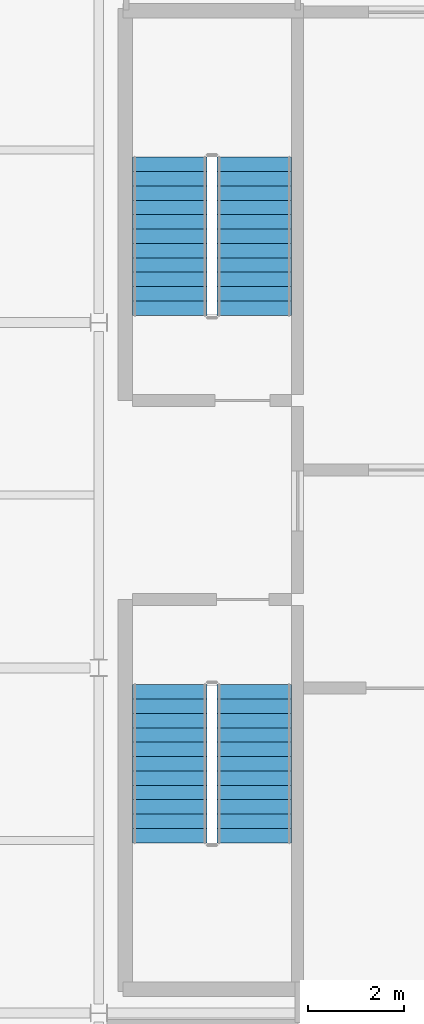
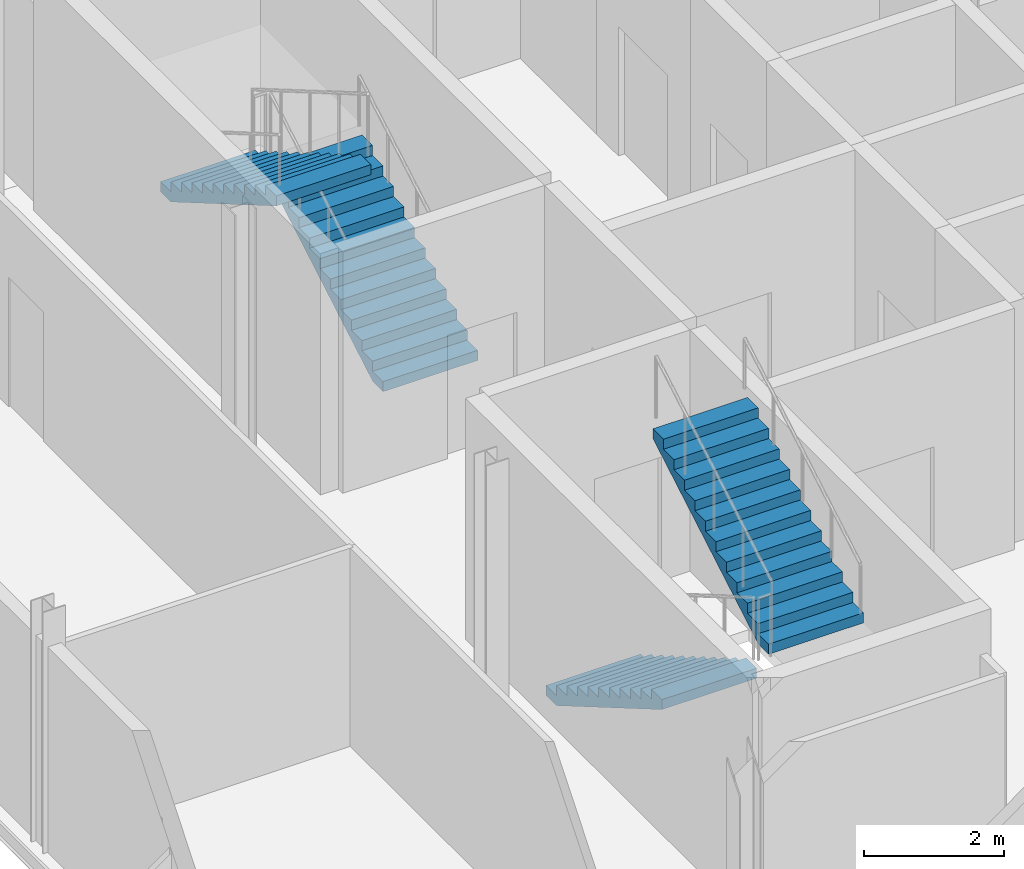
# One storey, part 14 of 17: 4 stair flights, 2 elements without a shape of their own.
"""IFC4 building model written with IfcOpenShell, lengths in metres."""

from ifc_helpers import new_model, si_unit, direction, frame, origin, place, context, subcontext, project, spatial, polyline, outline, extrude, material, type_object, element, aggregate, save


model = new_model("IFC4")

# Units and contexts
model_context = context("Model", 3, precision=1e-05, world=origin(), true_north=direction((0.0, 1.0)))
body_context = subcontext(model_context, "Body", "Model", "MODEL_VIEW")
ifc_project = project(units=[si_unit("LENGTHUNIT", "METRE"), si_unit("AREAUNIT", "SQUARE_METRE"), si_unit("VOLUMEUNIT", "CUBIC_METRE"), si_unit("PLANEANGLEUNIT", "RADIAN"), si_unit("MASSUNIT", "GRAM", prefix="KILO")], contexts=[model_context])

# Site, building, storey
site_placement = place(None, origin())
site = spatial("IfcSite", under=ifc_project, at=site_placement, CompositionType="ELEMENT")
building_placement = place(site_placement, origin())
building = spatial("IfcBuilding", under=site, at=building_placement, Name="Quillay Park Conservatory", CompositionType="ELEMENT")
storey_placement = place(building_placement, frame((0.0, 0.0, 47.699951171875)))
storey = spatial("IfcBuildingStorey", under=building, at=storey_placement, Name="L11", CompositionType="ELEMENT", Elevation=47.699951171875)

# Stair, stair flights
ifc_material_1 = material(Name="Concrete C35/45 (NCh170 Concrete C35/45)", Category="concrete")
stair_type = type_object("IfcStairType", Name="ENCLOSED DOG LEG STAIR 4200", PredefinedType="HALF_TURN_STAIR", material=ifc_material_1)
stair_1_placement = place(storey_placement, origin())
stair_1 = element("IfcStair", 1, at=stair_1_placement, inside=storey, type_object=stair_type, Name="L11 Tower Protected Exit Stair 1", PredefinedType="HALF_TURN_STAIR")
ifc_material_2 = material(Name="Concrete C35/45 (NCh170 Concrete C35/45)", Category="concrete")
stair_flight_type = type_object("IfcStairFlightType", Name="STRAIGHT STAIR FLIGHT 4200", PredefinedType="STRAIGHT", material=ifc_material_2)
stair_flight_1_placement = place(storey_placement, frame((11.090087890625, 92.550048828125, 0.0), z_axis=(0.0, 0.0, 1.0), x_axis=(0.0, 1.0, 0.0)))
stair_flight_1 = element("IfcStairFlight", 2, at=stair_flight_1_placement, type_object=stair_flight_type, Name="ST-T1 flight 1", NumberOfRisers=12, NumberOfTreads=11, PredefinedType="STRAIGHT", RiserHeight=0.175, TreadLength=0.3, context=body_context, shape_type="SweptSolid", body=[
    extrude(outline(polyline([(0.0, 0.0), (0.0, 0.175048828125), (0.300048828125, 0.175048828125), (0.300048828125, 0.35009765625), (0.60009765625, 0.35009765625), (0.60009765625, 0.52490234375), (0.89990234375, 0.52490234375), (0.89990234375, 0.699951171875), (1.199951171875, 0.699951171875), (1.199951171875, 0.875), (1.5, 0.875), (1.5, 1.050048828125), (1.800048828125, 1.050048828125), (1.800048828125, 1.22509765625), (2.10009765625, 1.22509765625), (2.10009765625, 1.39990234375), (2.39990234375, 1.39990234375), (2.39990234375, 1.574951171875), (2.699951171875, 1.574951171875), (2.699951171875, 1.75), (3.0, 1.75), (3.0, 1.925048828125), (3.300048828125, 1.925048828125), (3.300048828125, 2.10009765625), (3.300048828125, 1.75146484375), (0.297607421875, 0.0), (0.0, 0.0)])), frame((0.0, 0.780029296875, 0.0), z_axis=(0.0, -1.0, 0.0), x_axis=(1.0, 0.0, 0.0)), (0.0, 0.0, 1.0), 1.56005859375),
])
stair_flight_2_placement = place(storey_placement, frame((9.330078125, 95.85009765625, 2.10009765625), z_axis=(0.0, 0.0, 1.0), x_axis=(0.0, -1.0, 0.0)))
stair_flight_2 = element("IfcStairFlight", 3, at=stair_flight_2_placement, type_object=stair_flight_type, Name="ST-T1 flight 2", NumberOfRisers=12, NumberOfTreads=11, PredefinedType="STRAIGHT", RiserHeight=0.175, TreadLength=0.3, context=body_context, shape_type="SweptSolid", body=[
    extrude(outline(polyline([(0.0, 0.0), (0.0, 0.175048828125), (0.300048828125, 0.175048828125), (0.300048828125, 0.35009765625), (0.60009765625, 0.35009765625), (0.60009765625, 0.52490234375), (0.89990234375, 0.52490234375), (0.89990234375, 0.699951171875), (1.199951171875, 0.699951171875), (1.199951171875, 0.875), (1.5, 0.875), (1.5, 1.050048828125), (1.800048828125, 1.050048828125), (1.800048828125, 1.22509765625), (2.10009765625, 1.22509765625), (2.10009765625, 1.39990234375), (2.39990234375, 1.39990234375), (2.39990234375, 1.574951171875), (2.699951171875, 1.574951171875), (2.699951171875, 1.75), (3.0, 1.75), (3.0, 1.925048828125), (3.300048828125, 1.925048828125), (3.300048828125, 2.10009765625), (3.300048828125, 1.75146484375), (0.297607421875, 0.0), (0.0, 0.0)])), frame((0.0, 0.780029296875, 0.0), z_axis=(0.0, -1.0, 0.0), x_axis=(1.0, 0.0, 0.0)), (0.0, 0.0, 1.0), 1.56005859375),
])
aggregate(stair_1, [stair_flight_1, stair_flight_2])

stair_2_placement = place(storey_placement, origin())
stair_2 = element("IfcStair", 4, at=stair_2_placement, inside=storey, type_object=stair_type, Name="L11 Tower Protected Exit Stair 2", PredefinedType="HALF_TURN_STAIR")
stair_flight_3_placement = place(storey_placement, frame((9.330078125, 84.85009765625, 0.0), z_axis=(0.0, 0.0, 1.0), x_axis=(0.0, -1.0, 0.0)))
stair_flight_3 = element("IfcStairFlight", 5, at=stair_flight_3_placement, type_object=stair_flight_type, Name="ST-T2 flight 1", NumberOfRisers=12, NumberOfTreads=11, PredefinedType="STRAIGHT", RiserHeight=0.175, TreadLength=0.3, context=body_context, shape_type="SweptSolid", body=[
    extrude(outline(polyline([(0.0, 0.0), (0.0, 0.175048828125), (0.300048828125, 0.175048828125), (0.300048828125, 0.35009765625), (0.60009765625, 0.35009765625), (0.60009765625, 0.52490234375), (0.89990234375, 0.52490234375), (0.89990234375, 0.699951171875), (1.199951171875, 0.699951171875), (1.199951171875, 0.875), (1.5, 0.875), (1.5, 1.050048828125), (1.800048828125, 1.050048828125), (1.800048828125, 1.22509765625), (2.10009765625, 1.22509765625), (2.10009765625, 1.39990234375), (2.39990234375, 1.39990234375), (2.39990234375, 1.574951171875), (2.699951171875, 1.574951171875), (2.699951171875, 1.75), (3.0, 1.75), (3.0, 1.925048828125), (3.300048828125, 1.925048828125), (3.300048828125, 2.10009765625), (3.300048828125, 1.75146484375), (0.297607421875, 0.0), (0.0, 0.0)])), frame((0.0, 0.780029296875, 0.0), z_axis=(0.0, -1.0, 0.0), x_axis=(1.0, 0.0, 0.0)), (0.0, 0.0, 1.0), 1.56005859375),
])
stair_flight_4_placement = place(storey_placement, frame((11.090087890625, 81.550048828125, 2.10009765625), z_axis=(0.0, 0.0, 1.0), x_axis=(0.0, 1.0, 0.0)))
stair_flight_4 = element("IfcStairFlight", 6, at=stair_flight_4_placement, type_object=stair_flight_type, Name="ST-T2 flight 2", NumberOfRisers=12, NumberOfTreads=11, PredefinedType="STRAIGHT", RiserHeight=0.175, TreadLength=0.3, context=body_context, shape_type="SweptSolid", body=[
    extrude(outline(polyline([(0.0, 0.0), (0.0, 0.175048828125), (0.300048828125, 0.175048828125), (0.300048828125, 0.35009765625), (0.60009765625, 0.35009765625), (0.60009765625, 0.52490234375), (0.89990234375, 0.52490234375), (0.89990234375, 0.699951171875), (1.199951171875, 0.699951171875), (1.199951171875, 0.875), (1.5, 0.875), (1.5, 1.050048828125), (1.800048828125, 1.050048828125), (1.800048828125, 1.22509765625), (2.10009765625, 1.22509765625), (2.10009765625, 1.39990234375), (2.39990234375, 1.39990234375), (2.39990234375, 1.574951171875), (2.699951171875, 1.574951171875), (2.699951171875, 1.75), (3.0, 1.75), (3.0, 1.925048828125), (3.300048828125, 1.925048828125), (3.300048828125, 2.10009765625), (3.300048828125, 1.75146484375), (0.297607421875, 0.0), (0.0, 0.0)])), frame((0.0, 0.780029296875, 0.0), z_axis=(0.0, -1.0, 0.0), x_axis=(1.0, 0.0, 0.0)), (0.0, 0.0, 1.0), 1.56005859375),
])
aggregate(stair_2, [stair_flight_3, stair_flight_4])

save(model, "model.ifc")
